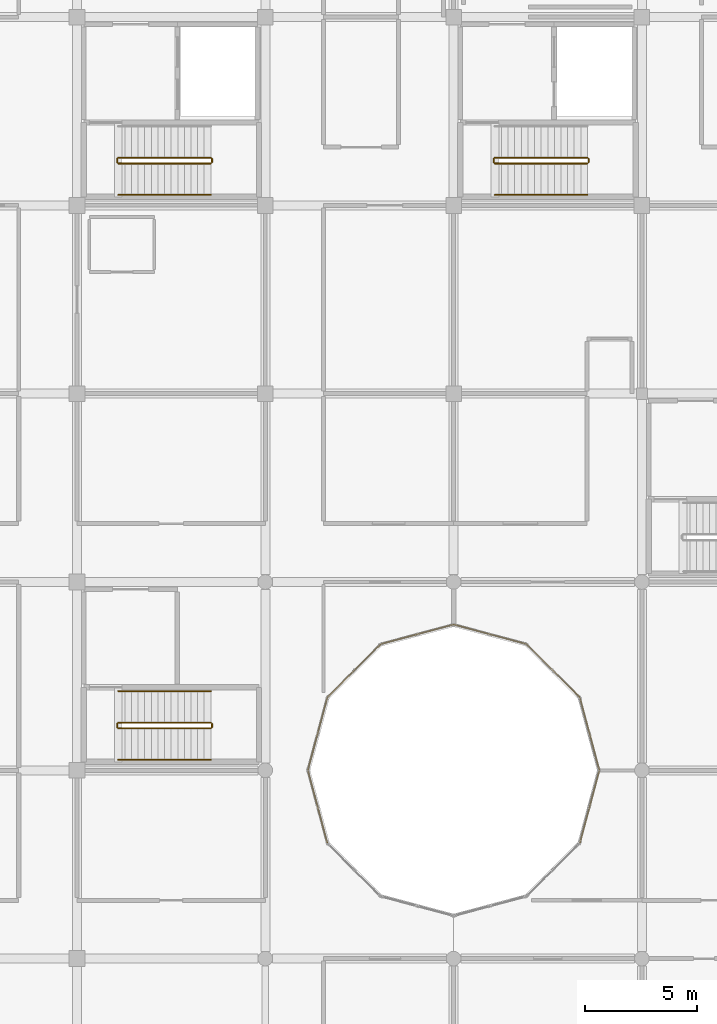
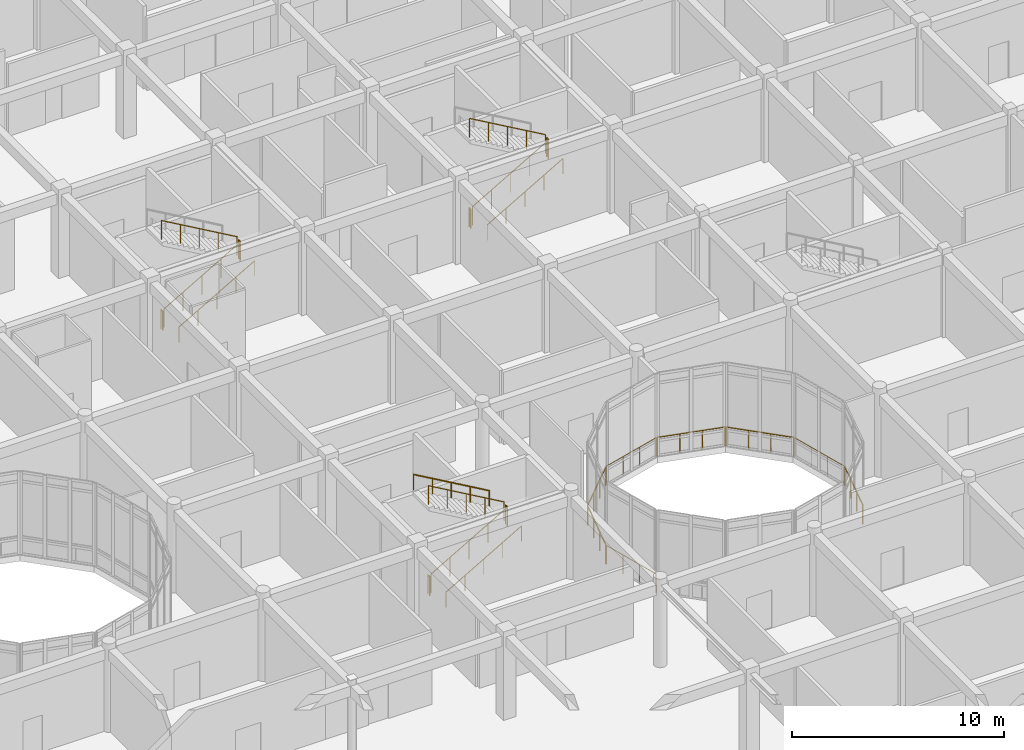
# One storey, part 127 of 134: 24 railings.
"""IFC4 building model written with IfcOpenShell, lengths in metres."""

from ifc_helpers import new_model, si_unit, direction, frame, origin, origin_2d, place, context, subcontext, project, spatial, circle, extrude, material, type_object, element, save


model = new_model("IFC4")

# Units and contexts
model_context = context("Model", 3, precision=1e-05, world=origin(), true_north=direction((0.0, 1.0)))
body_context = subcontext(model_context, "Body", "Model", "MODEL_VIEW")
ifc_project = project(units=[si_unit("LENGTHUNIT", "METRE"), si_unit("AREAUNIT", "SQUARE_METRE"), si_unit("VOLUMEUNIT", "CUBIC_METRE"), si_unit("PLANEANGLEUNIT", "RADIAN"), si_unit("MASSUNIT", "GRAM", prefix="KILO")], contexts=[model_context])

# Site, building, storey
site_placement = place(None, origin())
site = spatial("IfcSite", under=ifc_project, at=site_placement, CompositionType="ELEMENT")
building_placement = place(site_placement, origin())
building = spatial("IfcBuilding", under=site, at=building_placement, Name="Bramfleet General Hospital", CompositionType="ELEMENT")
storey_placement = place(building_placement, frame((0.0, 0.0, 9.300048828125)))
storey = spatial("IfcBuildingStorey", under=building, at=storey_placement, Name="L02", CompositionType="ELEMENT", Elevation=9.300048828125)

# Railings
ifc_material_1 = material(Name="Stainless steel 1.4401 safety balustrade", Category="steel")
railing_type_1 = type_object("IfcRailingType", Name="RAIL-EXT-GUARD", PredefinedType="GUARDRAIL", material=ifc_material_1)
railing_1_placement = place(storey_placement, frame((111.10595703125, 67.16455078125, 0.0)))
element("IfcRailing", 1, at=railing_1_placement, inside=storey, type_object=railing_type_1, Name="L02 Safety Guard Rail 101", PredefinedType="GUARDRAIL", context=body_context, shape_type="SweptSolid", body=[
    extrude(circle(Radius=0.02392578125, at=origin_2d()), frame((0.0, 0.0, 1.076171875), z_axis=(0.25882996935, -0.96592289908, 0.0), x_axis=(0.96592289908, 0.25882996935, 0.0)), (0.0, 0.0, 1.0), 3.29296875),
    extrude(circle(Radius=0.02099609375, at=origin_2d()), origin(), (0.0, 0.0, 1.0), 1.052001953125),
    extrude(circle(Radius=0.02099609375, at=origin_2d()), frame((0.2841796875, -1.060302734375, 0.0)), (0.0, 0.0, 1.0), 1.052001953125),
    extrude(circle(Radius=0.02099609375, at=origin_2d()), frame((0.568115234375, -2.120361328125, 0.0)), (0.0, 0.0, 1.0), 1.052001953125),
    extrude(circle(Radius=0.02099609375, at=origin_2d()), frame((0.852294921875, -3.1806640625, 0.0)), (0.0, 0.0, 1.0), 1.052001953125),
])
railing_2_placement = place(storey_placement, frame((123.24169921875, 63.98388671875, 0.0)))
element("IfcRailing", 2, at=railing_2_placement, inside=storey, type_object=railing_type_1, Name="L02 Safety Guard Rail 106", PredefinedType="GUARDRAIL", context=body_context, shape_type="SweptSolid", body=[
    extrude(circle(Radius=0.02392578125, at=origin_2d()), frame((0.0, 0.0, 1.076171875), z_axis=(0.25882996935, 0.96592289908, 0.0), x_axis=(-0.96592289908, 0.25882996935, 0.0)), (0.0, 0.0, 1.0), 3.29296875),
    extrude(circle(Radius=0.02099609375, at=origin_2d()), origin(), (0.0, 0.0, 1.0), 1.052001953125),
    extrude(circle(Radius=0.02099609375, at=origin_2d()), frame((0.2841796875, 1.060302734375, 0.0)), (0.0, 0.0, 1.0), 1.052001953125),
    extrude(circle(Radius=0.02099609375, at=origin_2d()), frame((0.568115234375, 2.120361328125, 0.0)), (0.0, 0.0, 1.0), 1.052001953125),
    extrude(circle(Radius=0.02099609375, at=origin_2d()), frame((0.852294921875, 3.1806640625, 0.0)), (0.0, 0.0, 1.0), 1.052001953125),
])
railing_3_placement = place(storey_placement, frame((124.093994140625, 67.235595703125, 0.0)))
element("IfcRailing", 3, at=railing_3_placement, inside=storey, type_object=railing_type_1, Name="L02 Safety Guard Rail 107", PredefinedType="GUARDRAIL", context=body_context, shape_type="SweptSolid", body=[
    extrude(circle(Radius=0.02392578125, at=origin_2d()), frame((0.0, 0.0, 1.076171875), z_axis=(-0.25882996935, 0.96592289908, 0.0), x_axis=(-0.96592289908, -0.25882996935, 0.0)), (0.0, 0.0, 1.0), 3.29296875),
    extrude(circle(Radius=0.02099609375, at=origin_2d()), origin(), (0.0, 0.0, 1.0), 1.052001953125),
    extrude(circle(Radius=0.02099609375, at=origin_2d()), frame((-0.2841796875, 1.060302734375, 0.0)), (0.0, 0.0, 1.0), 1.052001953125),
    extrude(circle(Radius=0.02099609375, at=origin_2d()), frame((-0.568115234375, 2.120361328125, 0.0)), (0.0, 0.0, 1.0), 1.052001953125),
    extrude(circle(Radius=0.02099609375, at=origin_2d()), frame((-0.852294921875, 3.1806640625, 0.0)), (0.0, 0.0, 1.0), 1.052001953125),
])
railing_4_placement = place(storey_placement, frame((123.206298828125, 70.477783203125, 0.0)))
element("IfcRailing", 4, at=railing_4_placement, inside=storey, type_object=railing_type_1, Name="L02 Safety Guard Rail 108", PredefinedType="GUARDRAIL", context=body_context, shape_type="SweptSolid", body=[
    extrude(circle(Radius=0.02392578125, at=origin_2d()), frame((0.0, 0.0, 1.076171875), z_axis=(-0.707143850033, 0.707069710397, 0.0), x_axis=(-0.707069710397, -0.707143850033, 0.0)), (0.0, 0.0, 1.0), 3.29296875),
    extrude(circle(Radius=0.02099609375, at=origin_2d()), origin(), (0.0, 0.0, 1.0), 1.052001953125),
    extrude(circle(Radius=0.02099609375, at=origin_2d()), frame((-0.776123046875, 0.776123046875, 0.0)), (0.0, 0.0, 1.0), 1.052001953125),
    extrude(circle(Radius=0.02099609375, at=origin_2d()), frame((-1.552490234375, 1.55224609375, 0.0)), (0.0, 0.0, 1.0), 1.052001953125),
    extrude(circle(Radius=0.02099609375, at=origin_2d()), frame((-2.32861328125, 2.328369140625, 0.0)), (0.0, 0.0, 1.0), 1.052001953125),
])
railing_5_placement = place(storey_placement, frame((120.816162109375, 72.841796875, 0.0)))
element("IfcRailing", 5, at=railing_5_placement, inside=storey, type_object=railing_type_1, Name="L02 Safety Guard Rail 109", PredefinedType="GUARDRAIL", context=body_context, shape_type="SweptSolid", body=[
    extrude(circle(Radius=0.02392578125, at=origin_2d()), frame((0.0, 0.0, 1.076171875), z_axis=(-0.96592289908, 0.25882996935, 0.0), x_axis=(-0.25882996935, -0.96592289908, 0.0)), (0.0, 0.0, 1.0), 3.29296875),
    extrude(circle(Radius=0.02099609375, at=origin_2d()), origin(), (0.0, 0.0, 1.0), 1.052001953125),
    extrude(circle(Radius=0.02099609375, at=origin_2d()), frame((-1.060302734375, 0.2841796875, 0.0)), (0.0, 0.0, 1.0), 1.052001953125),
    extrude(circle(Radius=0.02099609375, at=origin_2d()), frame((-2.120361328125, 0.568115234375, 0.0)), (0.0, 0.0, 1.0), 1.052001953125),
    extrude(circle(Radius=0.02099609375, at=origin_2d()), frame((-3.1806640625, 0.852294921875, 0.0)), (0.0, 0.0, 1.0), 1.052001953125),
])
railing_6_placement = place(storey_placement, frame((117.564453125, 73.694091796875, 0.0)))
element("IfcRailing", 6, at=railing_6_placement, inside=storey, type_object=railing_type_1, Name="L02 Safety Guard Rail 110", PredefinedType="GUARDRAIL", context=body_context, shape_type="SweptSolid", body=[
    extrude(circle(Radius=0.02392578125, at=origin_2d()), frame((0.0, 0.0, 1.076171875), z_axis=(-0.96592289908, -0.25882996935, 0.0), x_axis=(0.25882996935, -0.96592289908, 0.0)), (0.0, 0.0, 1.0), 3.29296875),
    extrude(circle(Radius=0.02099609375, at=origin_2d()), origin(), (0.0, 0.0, 1.0), 1.052001953125),
    extrude(circle(Radius=0.02099609375, at=origin_2d()), frame((-1.060302734375, -0.2841796875, 0.0)), (0.0, 0.0, 1.0), 1.052001953125),
    extrude(circle(Radius=0.02099609375, at=origin_2d()), frame((-2.120361328125, -0.568115234375, 0.0)), (0.0, 0.0, 1.0), 1.052001953125),
    extrude(circle(Radius=0.02099609375, at=origin_2d()), frame((-3.1806640625, -0.852294921875, 0.0)), (0.0, 0.0, 1.0), 1.052001953125),
])
railing_7_placement = place(storey_placement, frame((114.322265625, 72.80615234375, 0.0)))
element("IfcRailing", 7, at=railing_7_placement, inside=storey, type_object=railing_type_1, Name="L02 Safety Guard Rail 111", PredefinedType="GUARDRAIL", context=body_context, shape_type="SweptSolid", body=[
    extrude(circle(Radius=0.02392578125, at=origin_2d()), frame((0.0, 0.0, 1.076171875), z_axis=(-0.707106781187, -0.707106781187, 0.0), x_axis=(0.707106781187, -0.707106781187, 0.0)), (0.0, 0.0, 1.0), 3.292724609375),
    extrude(circle(Radius=0.02099609375, at=origin_2d()), origin(), (0.0, 0.0, 1.0), 1.052001953125),
    extrude(circle(Radius=0.02099609375, at=origin_2d()), frame((-0.776123046875, -0.776123046875, 0.0)), (0.0, 0.0, 1.0), 1.052001953125),
    extrude(circle(Radius=0.02099609375, at=origin_2d()), frame((-1.55224609375, -1.55224609375, 0.0)), (0.0, 0.0, 1.0), 1.052001953125),
    extrude(circle(Radius=0.02099609375, at=origin_2d()), frame((-2.328369140625, -2.328369140625, 0.0)), (0.0, 0.0, 1.0), 1.052001953125),
])
railing_8_placement = place(storey_placement, frame((111.958251953125, 70.416259765625, 0.0)))
element("IfcRailing", 8, at=railing_8_placement, inside=storey, type_object=railing_type_1, Name="L02 Safety Guard Rail 112", PredefinedType="GUARDRAIL", context=body_context, shape_type="SweptSolid", body=[
    extrude(circle(Radius=0.02392578125, at=origin_2d()), frame((0.0, 0.0, 1.076171875), z_axis=(-0.25882996935, -0.96592289908, 0.0), x_axis=(0.96592289908, -0.25882996935, 0.0)), (0.0, 0.0, 1.0), 3.29296875),
    extrude(circle(Radius=0.02099609375, at=origin_2d()), origin(), (0.0, 0.0, 1.0), 1.052001953125),
    extrude(circle(Radius=0.02099609375, at=origin_2d()), frame((-0.2841796875, -1.060302734375, 0.0)), (0.0, 0.0, 1.0), 1.052001953125),
    extrude(circle(Radius=0.02099609375, at=origin_2d()), frame((-0.568115234375, -2.120361328125, 0.0)), (0.0, 0.0, 1.0), 1.052001953125),
    extrude(circle(Radius=0.02099609375, at=origin_2d()), frame((-0.852294921875, -3.1806640625, 0.0)), (0.0, 0.0, 1.0), 1.052001953125),
])
ifc_material_2 = material(Name="Powder-coated steel stair balustrade", Category="steel")
railing_type_2 = type_object("IfcRailingType", Name="RAIL-ST-GUARD", PredefinedType="GUARDRAIL", material=ifc_material_2)
railing_9_placement = place(storey_placement, frame((102.639892578125, 94.27001953125, 0.169921875)))
element("IfcRailing", 9, at=railing_9_placement, inside=storey, type_object=railing_type_2, Name="L02 ST-C4 stair guard 1", PredefinedType="GUARDRAIL", context=body_context, shape_type="SweptSolid", body=[
    extrude(circle(Radius=0.02392578125, at=origin_2d()), frame((0.0, 0.0, 1.076171875), z_axis=(0.866425082981, 0.0, 0.499307095465), x_axis=(0.0, 1.0, 0.0)), (0.0, 0.0, 1.0), 4.766845703125),
    extrude(circle(Radius=0.02099609375, at=origin_2d()), origin(), (0.0, 0.0, 1.0), 1.052001953125),
    extrude(circle(Radius=0.02099609375, at=origin_2d()), frame((1.032470703125, 0.0, 0.594970703125)), (0.0, 0.0, 1.0), 1.052001953125),
    extrude(circle(Radius=0.02099609375, at=origin_2d()), frame((2.06494140625, 0.0, 1.18994140625)), (0.0, 0.0, 1.0), 1.052001953125),
    extrude(circle(Radius=0.02099609375, at=origin_2d()), frame((3.09765625, 0.0, 1.78515625)), (0.0, 0.0, 1.0), 1.052001953125),
    extrude(circle(Radius=0.02099609375, at=origin_2d()), frame((4.130126953125, 0.0, 2.380126953125)), (0.0, 0.0, 1.0), 1.052001953125),
])
railing_10_placement = place(storey_placement, frame((106.820068359375, 94.320068359375, 2.550048828125)))
element("IfcRailing", 10, at=railing_10_placement, inside=storey, type_object=railing_type_2, Name="L02 ST-C4 stair guard 2", PredefinedType="GUARDRAIL", context=body_context, shape_type="SweptSolid", body=[
    extrude(circle(Radius=0.02392578125, at=origin_2d()), frame((0.0, 0.0, 1.076171875), z_axis=(0.0, 1.0, 0.0), x_axis=(-1.0, 0.0, 0.0)), (0.0, 0.0, 1.0), 0.159912109375),
    extrude(circle(Radius=0.02099609375, at=origin_2d()), origin(), (0.0, 0.0, 1.0), 1.052001953125),
    extrude(circle(Radius=0.02099609375, at=origin_2d()), frame((0.0, 0.159912109375, 0.0)), (0.0, 0.0, 1.0), 1.052001953125),
])
railing_11_placement = place(storey_placement, frame((106.77001953125, 94.530029296875, 2.719970703125)))
element("IfcRailing", 11, at=railing_11_placement, inside=storey, type_object=railing_type_2, Name="L02 ST-C4 stair guard 3", PredefinedType="GUARDRAIL", context=body_context, shape_type="SweptSolid", body=[
    extrude(circle(Radius=0.02392578125, at=origin_2d()), frame((0.0, 0.0, 1.076171875), z_axis=(-0.866447239463, 0.0, 0.499268646349), x_axis=(0.0, -1.0, 0.0)), (0.0, 0.0, 1.0), 4.766845703125),
    extrude(circle(Radius=0.02099609375, at=origin_2d()), origin(), (0.0, 0.0, 1.0), 1.052001953125),
    extrude(circle(Radius=0.02099609375, at=origin_2d()), frame((-1.032470703125, 0.0, 0.594970703125)), (0.0, 0.0, 1.0), 1.052001953125),
    extrude(circle(Radius=0.02099609375, at=origin_2d()), frame((-2.06494140625, 0.0, 1.18994140625)), (0.0, 0.0, 1.0), 1.052001953125),
    extrude(circle(Radius=0.02099609375, at=origin_2d()), frame((-3.09765625, 0.0, 1.784912109375)), (0.0, 0.0, 1.0), 1.052001953125),
    extrude(circle(Radius=0.02099609375, at=origin_2d()), frame((-4.130126953125, 0.0, 2.3798828125)), (0.0, 0.0, 1.0), 1.052001953125),
])
railing_12_placement = place(storey_placement, frame((102.590087890625, 94.320068359375, 0.0)))
element("IfcRailing", 12, at=railing_12_placement, inside=storey, type_object=railing_type_2, Name="L02 ST-C4 stair guard 4", PredefinedType="GUARDRAIL", context=body_context, shape_type="SweptSolid", body=[
    extrude(circle(Radius=0.02392578125, at=origin_2d()), frame((0.0, 0.0, 1.076171875), z_axis=(0.0, 1.0, 0.0), x_axis=(-1.0, 0.0, 0.0)), (0.0, 0.0, 1.0), 0.159912109375),
    extrude(circle(Radius=0.02099609375, at=origin_2d()), origin(), (0.0, 0.0, 1.0), 1.052001953125),
    extrude(circle(Radius=0.02099609375, at=origin_2d()), frame((0.0, 0.159912109375, 0.0)), (0.0, 0.0, 1.0), 1.052001953125),
])
railing_13_placement = place(storey_placement, frame((119.43994140625, 94.27001953125, 0.169921875)))
element("IfcRailing", 13, at=railing_13_placement, inside=storey, type_object=railing_type_2, Name="L02 ST-C6 stair guard 1", PredefinedType="GUARDRAIL", context=body_context, shape_type="SweptSolid", body=[
    extrude(circle(Radius=0.02392578125, at=origin_2d()), frame((0.0, 0.0, 1.076171875), z_axis=(0.866425082981, 0.0, 0.499307095465), x_axis=(0.0, 1.0, 0.0)), (0.0, 0.0, 1.0), 4.766845703125),
    extrude(circle(Radius=0.02099609375, at=origin_2d()), origin(), (0.0, 0.0, 1.0), 1.052001953125),
    extrude(circle(Radius=0.02099609375, at=origin_2d()), frame((1.032470703125, 0.0, 0.594970703125)), (0.0, 0.0, 1.0), 1.052001953125),
    extrude(circle(Radius=0.02099609375, at=origin_2d()), frame((2.06494140625, 0.0, 1.18994140625)), (0.0, 0.0, 1.0), 1.052001953125),
    extrude(circle(Radius=0.02099609375, at=origin_2d()), frame((3.09765625, 0.0, 1.78515625)), (0.0, 0.0, 1.0), 1.052001953125),
    extrude(circle(Radius=0.02099609375, at=origin_2d()), frame((4.130126953125, 0.0, 2.380126953125)), (0.0, 0.0, 1.0), 1.052001953125),
])
railing_14_placement = place(storey_placement, frame((123.6201171875, 94.320068359375, 2.550048828125)))
element("IfcRailing", 14, at=railing_14_placement, inside=storey, type_object=railing_type_2, Name="L02 ST-C6 stair guard 2", PredefinedType="GUARDRAIL", context=body_context, shape_type="SweptSolid", body=[
    extrude(circle(Radius=0.02392578125, at=origin_2d()), frame((0.0, 0.0, 1.076171875), z_axis=(0.0, 1.0, 0.0), x_axis=(-1.0, 0.0, 0.0)), (0.0, 0.0, 1.0), 0.159912109375),
    extrude(circle(Radius=0.02099609375, at=origin_2d()), origin(), (0.0, 0.0, 1.0), 1.052001953125),
    extrude(circle(Radius=0.02099609375, at=origin_2d()), frame((0.0, 0.159912109375, 0.0)), (0.0, 0.0, 1.0), 1.052001953125),
])
railing_15_placement = place(storey_placement, frame((123.570068359375, 94.530029296875, 2.719970703125)))
element("IfcRailing", 15, at=railing_15_placement, inside=storey, type_object=railing_type_2, Name="L02 ST-C6 stair guard 3", PredefinedType="GUARDRAIL", context=body_context, shape_type="SweptSolid", body=[
    extrude(circle(Radius=0.02392578125, at=origin_2d()), frame((0.0, 0.0, 1.076171875), z_axis=(-0.866447239463, 0.0, 0.499268646349), x_axis=(0.0, -1.0, 0.0)), (0.0, 0.0, 1.0), 4.766845703125),
    extrude(circle(Radius=0.02099609375, at=origin_2d()), origin(), (0.0, 0.0, 1.0), 1.052001953125),
    extrude(circle(Radius=0.02099609375, at=origin_2d()), frame((-1.032470703125, 0.0, 0.594970703125)), (0.0, 0.0, 1.0), 1.052001953125),
    extrude(circle(Radius=0.02099609375, at=origin_2d()), frame((-2.06494140625, 0.0, 1.18994140625)), (0.0, 0.0, 1.0), 1.052001953125),
    extrude(circle(Radius=0.02099609375, at=origin_2d()), frame((-3.09765625, 0.0, 1.784912109375)), (0.0, 0.0, 1.0), 1.052001953125),
    extrude(circle(Radius=0.02099609375, at=origin_2d()), frame((-4.130126953125, 0.0, 2.3798828125)), (0.0, 0.0, 1.0), 1.052001953125),
])
railing_16_placement = place(storey_placement, frame((119.389892578125, 94.320068359375, 0.0)))
element("IfcRailing", 16, at=railing_16_placement, inside=storey, type_object=railing_type_2, Name="L02 ST-C6 stair guard 4", PredefinedType="GUARDRAIL", context=body_context, shape_type="SweptSolid", body=[
    extrude(circle(Radius=0.02392578125, at=origin_2d()), frame((0.0, 0.0, 1.076171875), z_axis=(0.0, 1.0, 0.0), x_axis=(-1.0, 0.0, 0.0)), (0.0, 0.0, 1.0), 0.159912109375),
    extrude(circle(Radius=0.02099609375, at=origin_2d()), origin(), (0.0, 0.0, 1.0), 1.052001953125),
    extrude(circle(Radius=0.02099609375, at=origin_2d()), frame((0.0, 0.159912109375, 0.0)), (0.0, 0.0, 1.0), 1.052001953125),
])
railing_17_placement = place(storey_placement, frame((102.639892578125, 69.070068359375, 0.169921875)))
element("IfcRailing", 17, at=railing_17_placement, inside=storey, type_object=railing_type_2, Name="L02 ST-C11 stair guard 1", PredefinedType="GUARDRAIL", context=body_context, shape_type="SweptSolid", body=[
    extrude(circle(Radius=0.02392578125, at=origin_2d()), frame((0.0, 0.0, 1.076171875), z_axis=(0.866425082981, 0.0, 0.499307095465), x_axis=(0.0, 1.0, 0.0)), (0.0, 0.0, 1.0), 4.766845703125),
    extrude(circle(Radius=0.02099609375, at=origin_2d()), origin(), (0.0, 0.0, 1.0), 1.052001953125),
    extrude(circle(Radius=0.02099609375, at=origin_2d()), frame((1.032470703125, 0.0, 0.594970703125)), (0.0, 0.0, 1.0), 1.052001953125),
    extrude(circle(Radius=0.02099609375, at=origin_2d()), frame((2.06494140625, 0.0, 1.18994140625)), (0.0, 0.0, 1.0), 1.052001953125),
    extrude(circle(Radius=0.02099609375, at=origin_2d()), frame((3.09765625, 0.0, 1.78515625)), (0.0, 0.0, 1.0), 1.052001953125),
    extrude(circle(Radius=0.02099609375, at=origin_2d()), frame((4.130126953125, 0.0, 2.380126953125)), (0.0, 0.0, 1.0), 1.052001953125),
])
railing_18_placement = place(storey_placement, frame((106.820068359375, 69.1201171875, 2.550048828125)))
element("IfcRailing", 18, at=railing_18_placement, inside=storey, type_object=railing_type_2, Name="L02 ST-C11 stair guard 2", PredefinedType="GUARDRAIL", context=body_context, shape_type="SweptSolid", body=[
    extrude(circle(Radius=0.02392578125, at=origin_2d()), frame((0.0, 0.0, 1.076171875), z_axis=(0.0, 1.0, 0.0), x_axis=(-1.0, 0.0, 0.0)), (0.0, 0.0, 1.0), 0.159912109375),
    extrude(circle(Radius=0.02099609375, at=origin_2d()), origin(), (0.0, 0.0, 1.0), 1.052001953125),
    extrude(circle(Radius=0.02099609375, at=origin_2d()), frame((0.0, 0.159912109375, 0.0)), (0.0, 0.0, 1.0), 1.052001953125),
])
railing_19_placement = place(storey_placement, frame((106.77001953125, 69.330078125, 2.719970703125)))
element("IfcRailing", 19, at=railing_19_placement, inside=storey, type_object=railing_type_2, Name="L02 ST-C11 stair guard 3", PredefinedType="GUARDRAIL", context=body_context, shape_type="SweptSolid", body=[
    extrude(circle(Radius=0.02392578125, at=origin_2d()), frame((0.0, 0.0, 1.076171875), z_axis=(-0.866447239463, 0.0, 0.499268646349), x_axis=(0.0, -1.0, 0.0)), (0.0, 0.0, 1.0), 4.766845703125),
    extrude(circle(Radius=0.02099609375, at=origin_2d()), origin(), (0.0, 0.0, 1.0), 1.052001953125),
    extrude(circle(Radius=0.02099609375, at=origin_2d()), frame((-1.032470703125, 0.0, 0.594970703125)), (0.0, 0.0, 1.0), 1.052001953125),
    extrude(circle(Radius=0.02099609375, at=origin_2d()), frame((-2.06494140625, 0.0, 1.18994140625)), (0.0, 0.0, 1.0), 1.052001953125),
    extrude(circle(Radius=0.02099609375, at=origin_2d()), frame((-3.09765625, 0.0, 1.784912109375)), (0.0, 0.0, 1.0), 1.052001953125),
    extrude(circle(Radius=0.02099609375, at=origin_2d()), frame((-4.130126953125, 0.0, 2.3798828125)), (0.0, 0.0, 1.0), 1.052001953125),
])
railing_20_placement = place(storey_placement, frame((102.590087890625, 69.1201171875, 0.0)))
element("IfcRailing", 20, at=railing_20_placement, inside=storey, type_object=railing_type_2, Name="L02 ST-C11 stair guard 4", PredefinedType="GUARDRAIL", context=body_context, shape_type="SweptSolid", body=[
    extrude(circle(Radius=0.02392578125, at=origin_2d()), frame((0.0, 0.0, 1.076171875), z_axis=(0.0, 1.0, 0.0), x_axis=(-1.0, 0.0, 0.0)), (0.0, 0.0, 1.0), 0.159912109375),
    extrude(circle(Radius=0.02099609375, at=origin_2d()), origin(), (0.0, 0.0, 1.0), 1.052001953125),
    extrude(circle(Radius=0.02099609375, at=origin_2d()), frame((0.0, 0.159912109375, 0.0)), (0.0, 0.0, 1.0), 1.052001953125),
])
ifc_material_3 = material(Name="Stainless steel 1.4301 stair handrail", Category="steel")
railing_type_3 = type_object("IfcRailingType", Name="RAIL-ST-HND", PredefinedType="HANDRAIL", material=ifc_material_3)
for number, where, name in (
    (21, (102.639892578125, 92.8701171875, 0.169921875), "L02 ST-C4 stair handrail 1"),
    (22, (119.43994140625, 92.8701171875, 0.169921875), "L02 ST-C6 stair handrail 1"),
    (23, (102.639892578125, 67.669921875, 0.169921875), "L02 ST-C11 stair handrail 1"),
):
    element("IfcRailing", number, at=place(storey_placement, frame(where)), inside=storey, type_object=railing_type_3, Name=name, PredefinedType="HANDRAIL", context=body_context, shape_type="SweptSolid", body=[
        extrude(circle(Radius=0.02392578125, at=origin_2d()), frame((0.0, 0.0, 0.8759765625), z_axis=(0.866425082981, 0.0, 0.499307095465), x_axis=(0.0, 1.0, 0.0)), (0.0, 0.0, 1.0), 4.766845703125),
        extrude(circle(Radius=0.02099609375, at=origin_2d()), origin(), (0.0, 0.0, 1.0), 0.851806640625),
        extrude(circle(Radius=0.02099609375, at=origin_2d()), frame((1.032470703125, 0.0, 0.594970703125)), (0.0, 0.0, 1.0), 0.851806640625),
        extrude(circle(Radius=0.02099609375, at=origin_2d()), frame((2.06494140625, 0.0, 1.18994140625)), (0.0, 0.0, 1.0), 0.851806640625),
        extrude(circle(Radius=0.02099609375, at=origin_2d()), frame((3.09765625, 0.0, 1.78515625)), (0.0, 0.0, 1.0), 0.851806640625),
        extrude(circle(Radius=0.02099609375, at=origin_2d()), frame((4.130126953125, 0.0, 2.380126953125)), (0.0, 0.0, 1.0), 0.851806640625),
    ])
railing_21_placement = place(storey_placement, frame((106.77001953125, 70.72998046875, 2.719970703125)))
element("IfcRailing", 24, at=railing_21_placement, inside=storey, type_object=railing_type_3, Name="L02 ST-C11 stair handrail 2", PredefinedType="HANDRAIL", context=body_context, shape_type="SweptSolid", body=[
    extrude(circle(Radius=0.02392578125, at=origin_2d()), frame((0.0, 0.0, 0.8759765625), z_axis=(-0.866447239463, 0.0, 0.499268646349), x_axis=(0.0, -1.0, 0.0)), (0.0, 0.0, 1.0), 4.766845703125),
    extrude(circle(Radius=0.02099609375, at=origin_2d()), origin(), (0.0, 0.0, 1.0), 0.851806640625),
    extrude(circle(Radius=0.02099609375, at=origin_2d()), frame((-1.032470703125, 0.0, 0.594970703125)), (0.0, 0.0, 1.0), 0.851806640625),
    extrude(circle(Radius=0.02099609375, at=origin_2d()), frame((-2.06494140625, 0.0, 1.18994140625)), (0.0, 0.0, 1.0), 0.851806640625),
    extrude(circle(Radius=0.02099609375, at=origin_2d()), frame((-3.09765625, 0.0, 1.784912109375)), (0.0, 0.0, 1.0), 0.851806640625),
    extrude(circle(Radius=0.02099609375, at=origin_2d()), frame((-4.130126953125, 0.0, 2.3798828125)), (0.0, 0.0, 1.0), 0.851806640625),
])

save(model, "model.ifc")
